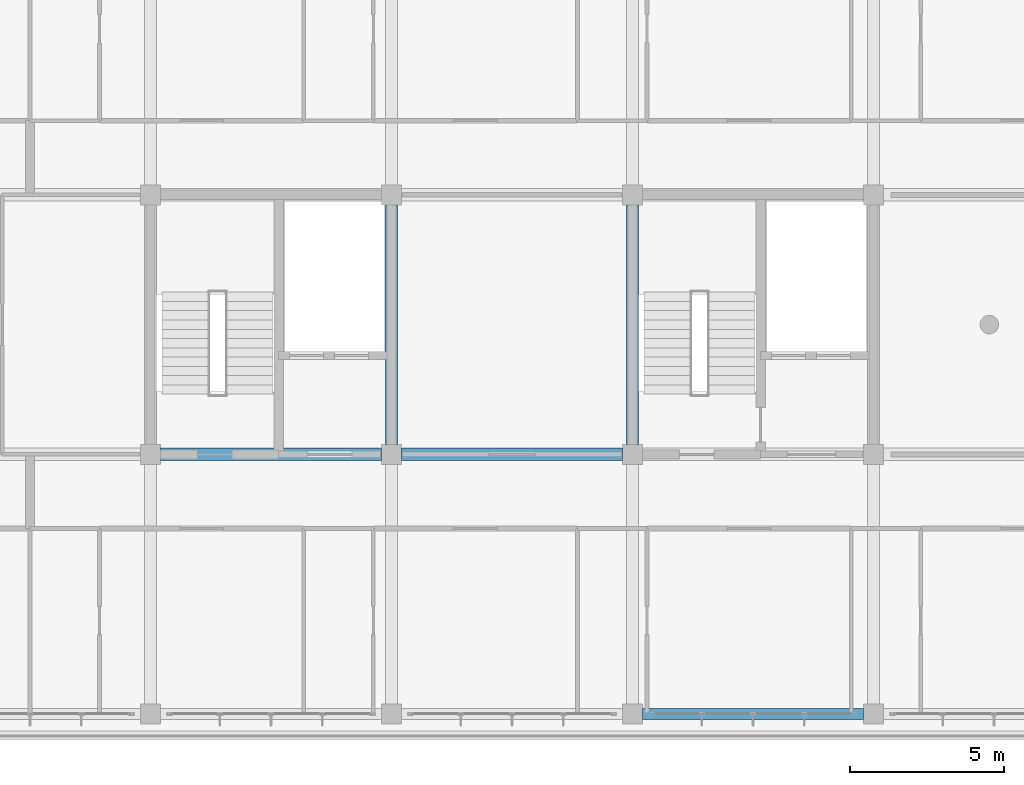
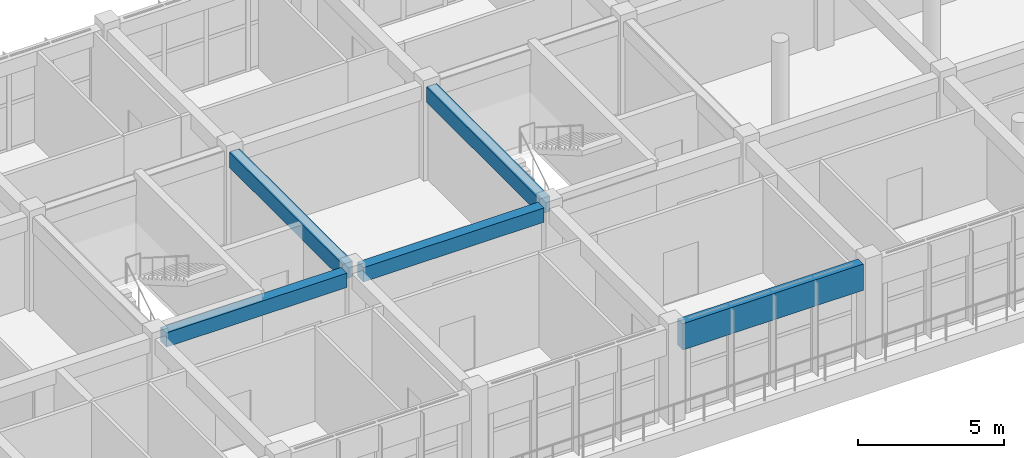
# One storey, part 22 of 57: 5 beams.
"""IFC4 building model written with IfcOpenShell, lengths in metres."""

from ifc_helpers import new_model, si_unit, direction, frame, origin, origin_2d, place, context, subcontext, project, spatial, rectangle, extrude, material, material_profile, profile_set, type_object, element, save


model = new_model("IFC4")

# Units and contexts
model_context = context("Model", 3, precision=1e-05, world=origin(), true_north=direction((0.0, 1.0)))
body_context = subcontext(model_context, "Body", "Model", "MODEL_VIEW")
ifc_project = project(units=[si_unit("LENGTHUNIT", "METRE"), si_unit("AREAUNIT", "SQUARE_METRE"), si_unit("VOLUMEUNIT", "CUBIC_METRE"), si_unit("PLANEANGLEUNIT", "RADIAN"), si_unit("MASSUNIT", "GRAM", prefix="KILO")], contexts=[model_context])

# Site, building, storey
site_placement = place(None, origin())
site = spatial("IfcSite", under=ifc_project, at=site_placement, CompositionType="ELEMENT")
building_placement = place(site_placement, origin())
building = spatial("IfcBuilding", under=site, at=building_placement, Name="Zizhar Promenade General Hospital", CompositionType="ELEMENT")
storey_placement = place(building_placement, frame((0.0, 0.0, 22.199951171875)))
storey = spatial("IfcBuildingStorey", under=building, at=storey_placement, Name="L05", CompositionType="ELEMENT", Elevation=22.199951171875)

# Beams
ifc_material_1 = material(Name="Precast concrete C40/50", Category="concrete")
ifc_material_profile_1 = material_profile(ifc_material_1, rectangle(XDim=0.35009765625, YDim=1.10009765625, at=origin_2d()))
ifc_profile_set_1 = profile_set([ifc_material_profile_1], Name="Precast concrete C40/50")
beam_type_1 = type_object("IfcBeamType", Name="BM-PC-BAND1100", PredefinedType="SPANDREL", material=ifc_profile_set_1)
beam_1_placement = place(storey_placement, frame((93.925048828125, 0.0, 3.360107421875), z_axis=(1.0, 0.0, 0.0), x_axis=(0.0, 1.0, 0.0)))
element("IfcBeam", 1, at=beam_1_placement, inside=storey, type_object=beam_type_1, Name="Grid Beam X L05 (12-0)", PredefinedType="SPANDREL", context=body_context, shape_type="SweptSolid", body=[
    extrude(rectangle(XDim=0.35009765625, YDim=1.10009765625, at=origin_2d()), origin(), (0.0, 0.0, 1.0), 7.14990234375),
])
ifc_material_2 = material(Name="Concrete C35/45", Category="concrete")
ifc_material_profile_2 = material_profile(ifc_material_2, rectangle(XDim=0.39990234375, YDim=0.60009765625, at=origin_2d()))
ifc_profile_set_2 = profile_set([ifc_material_profile_2], Name="Concrete C35/45")
beam_type_2 = type_object("IfcBeamType", Name="BM-RC-400x600", PredefinedType="JOIST", material=ifc_profile_set_2)
beam_2_placement = place(storey_placement, frame((78.324951171875, 8.39990234375, 3.610107421875), z_axis=(1.0, 0.0, 0.0), x_axis=(0.0, 1.0, 0.0)))
element("IfcBeam", 2, at=beam_2_placement, inside=storey, type_object=beam_type_2, Name="Grid Beam X L05 (10-1)", PredefinedType="JOIST", context=body_context, shape_type="SweptSolid", body=[
    extrude(rectangle(XDim=0.39990234375, YDim=0.60009765625, at=origin_2d()), origin(), (0.0, 0.0, 1.0), 7.150146484375),
])
beam_3_placement = place(storey_placement, frame((86.125, 8.39990234375, 3.610107421875), z_axis=(1.0, 0.0, 0.0), x_axis=(0.0, 1.0, 0.0)))
element("IfcBeam", 3, at=beam_3_placement, inside=storey, type_object=beam_type_2, Name="Grid Beam X L05 (11-1)", PredefinedType="JOIST", context=body_context, shape_type="SweptSolid", body=[
    extrude(rectangle(XDim=0.39990234375, YDim=0.60009765625, at=origin_2d()), origin(), (0.0, 0.0, 1.0), 7.14990234375),
])
ifc_material_3 = material(Name="Concrete C35/45", Category="concrete")
ifc_material_profile_3 = material_profile(ifc_material_3, rectangle(XDim=0.39990234375, YDim=0.64990234375, at=origin_2d()))
ifc_profile_set_3 = profile_set([ifc_material_profile_3], Name="Concrete C35/45")
beam_type_3 = type_object("IfcBeamType", Name="BM-RC-400x650", PredefinedType="BEAM", material=ifc_profile_set_3)
for number, where, z_axis, x_axis, name in (
    (4, (85.800048828125, 8.72509765625, 3.5849609375), (0.0, 1.0, 0.0), (-1.0, 0.0, 0.0), "Grid Beam Y L05 (11-1)"),
    (5, (93.60009765625, 8.72509765625, 3.5849609375), (0.0, 1.0, 0.0), (-1.0, 0.0, 0.0), "Grid Beam Y L05 (12-1)"),
):
    element("IfcBeam", number, at=place(storey_placement, frame(where, z_axis=z_axis, x_axis=x_axis)), inside=storey, type_object=beam_type_3, Name=name, PredefinedType="BEAM", context=body_context, shape_type="SweptSolid", body=[
        extrude(rectangle(XDim=0.39990234375, YDim=0.64990234375, at=origin_2d()), origin(), (0.0, 0.0, 1.0), 7.75),
    ])

save(model, "model.ifc")
